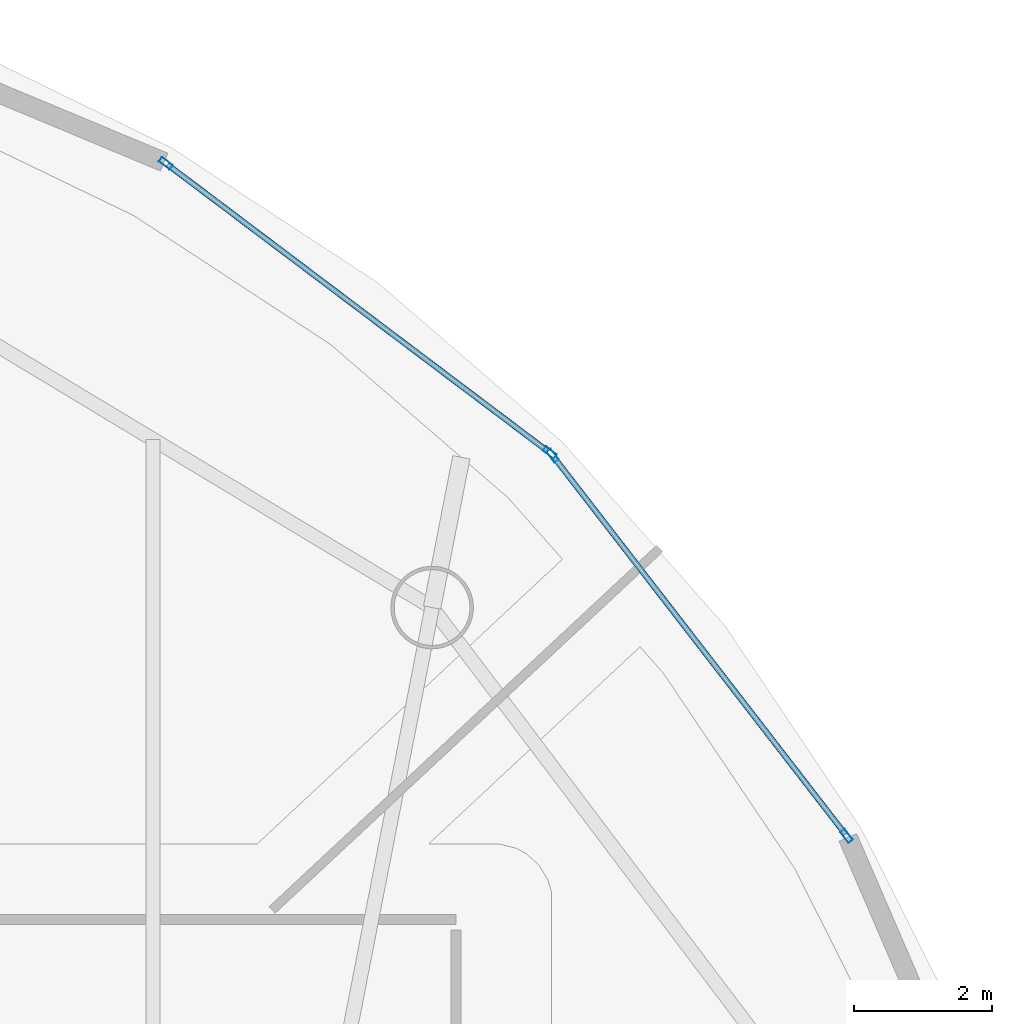
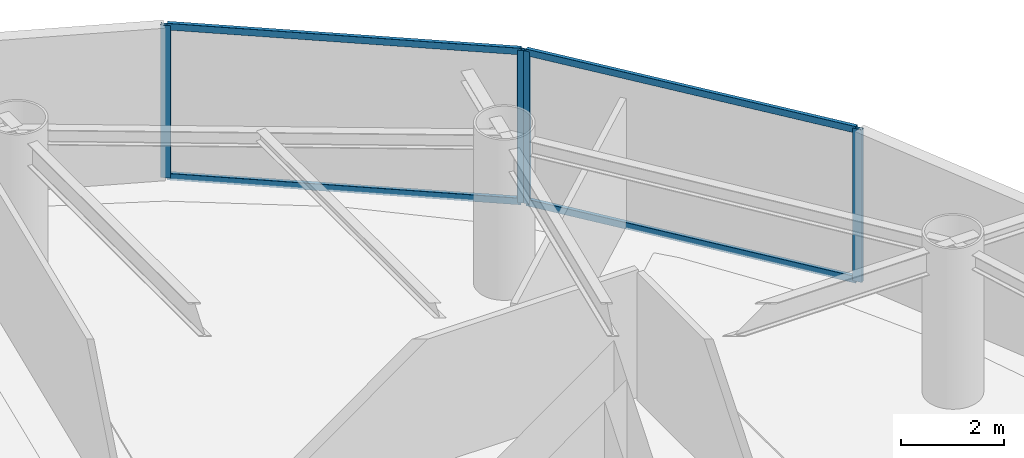
# One storey, part 10 of 16: 8 members, 2 elements without a shape of their own.
"""IFC4 building model written with IfcOpenShell, lengths in metres."""

from ifc_helpers import new_model, si_unit, direction, frame, origin, origin_2d, place, context, subcontext, project, spatial, hollow_rectangle, extrude, material, layer, layer_set, material_profile, profile_set, type_object, element, aggregate, save


model = new_model("IFC4")

# Units and contexts
model_context = context("Model", 3, precision=1e-05, world=origin(), true_north=direction((0.0, 1.0)))
body_context = subcontext(model_context, "Body", "Model", "MODEL_VIEW")
ifc_project = project(units=[si_unit("LENGTHUNIT", "METRE"), si_unit("AREAUNIT", "SQUARE_METRE"), si_unit("VOLUMEUNIT", "CUBIC_METRE"), si_unit("PLANEANGLEUNIT", "RADIAN"), si_unit("MASSUNIT", "GRAM", prefix="KILO")], contexts=[model_context])

# Site, building, storey
site_placement = place(None, origin())
site = spatial("IfcSite", under=ifc_project, at=site_placement, CompositionType="ELEMENT")
building_placement = place(site_placement, origin())
building = spatial("IfcBuilding", under=site, at=building_placement, Name="Bramvorn Convention Spire", CompositionType="ELEMENT")
storey_placement = place(building_placement, frame((0.0, 0.0, 209.699951171875)))
storey = spatial("IfcBuildingStorey", under=building, at=storey_placement, Name="L53", CompositionType="ELEMENT", Elevation=209.699951171875)

# Curtain wall, members
ifc_material_1 = material(Name="Anodised Bronze Unitised Curtain Wall", Category="aluminium")
ifc_layer = layer(ifc_material_1, 0.179931640625)
ifc_layer_set = layer_set([ifc_layer], Name="Anodised Bronze Unitised Curtain Wall - CW-OFF-FRIT")
curtain_wall_type = type_object("IfcCurtainWallType", Name="CW-OFF-FRIT", PredefinedType="USERDEFINED", material=ifc_layer_set)
curtain_wall_1_placement = place(storey_placement, origin())
curtain_wall_1 = element("IfcCurtainWall", 1, at=curtain_wall_1_placement, inside=storey, type_object=curtain_wall_type, Name="L53 fritted glass curtain wall 06", ObjectType="UNITISED CURTAIN WALL", PredefinedType="USERDEFINED")
ifc_material_2 = material(Name="Anodised Bronze Aluminium 6063-T6", Category="aluminium")
ifc_material_profile_1 = material_profile(ifc_material_2, hollow_rectangle(XDim=0.080078125, YDim=0.199951171875, WallThickness=0.00390625, InnerFilletRadius=0.0009765625, OuterFilletRadius=0.00390625, at=origin_2d()))
ifc_profile_set_1 = profile_set([ifc_material_profile_1], Name="Anodised Bronze Aluminium 6063-T6 - CWM80X200")
member_type_1 = type_object("IfcMemberType", Name="CW-MUL-180", PredefinedType="MULLION", material=ifc_profile_set_1)
member_1_placement = place(storey_placement, frame((52.25341796875, 42.093994140625, 0.0), z_axis=(0.0, 0.0, 1.0), x_axis=(0.791181360042, 0.611581601687, 0.0)))
member_1 = element("IfcMember", 2, at=member_1_placement, type_object=member_type_1, Name="CW3 mullion 1", PredefinedType="MULLION", context=body_context, shape_type="SweptSolid", body=[
    extrude(hollow_rectangle(XDim=0.080078125, YDim=0.199951171875, WallThickness=0.00390625, InnerFilletRadius=0.0009765625, OuterFilletRadius=0.00390625, at=origin_2d()), origin(), (0.0, 0.0, 1.0), 3.6201171875),
])
member_2_placement = place(storey_placement, frame((56.525634765625, 36.567138671875, 0.0), z_axis=(0.0, 0.0, 1.0), x_axis=(0.791181360042, 0.611581601687, 0.0)))
member_2 = element("IfcMember", 3, at=member_2_placement, type_object=member_type_1, Name="CW3 mullion 2", PredefinedType="MULLION", context=body_context, shape_type="SweptSolid", body=[
    extrude(hollow_rectangle(XDim=0.080078125, YDim=0.199951171875, WallThickness=0.00390625, InnerFilletRadius=0.0009765625, OuterFilletRadius=0.00390625, at=origin_2d()), origin(), (0.0, 0.0, 1.0), 3.6201171875),
])

curtain_wall_2_placement = place(storey_placement, origin())
curtain_wall_2 = element("IfcCurtainWall", 4, at=curtain_wall_2_placement, inside=storey, type_object=curtain_wall_type, Name="L53 fritted glass curtain wall 07", ObjectType="UNITISED CURTAIN WALL", PredefinedType="USERDEFINED")
member_3_placement = place(storey_placement, frame((46.632568359375, 46.340087890625, 0.0), z_axis=(0.0, 0.0, 1.0), x_axis=(0.601871885792, 0.798592657801, 0.0)))
member_3 = element("IfcMember", 5, at=member_3_placement, type_object=member_type_1, Name="CW3 mullion 1", PredefinedType="MULLION", context=body_context, shape_type="SweptSolid", body=[
    extrude(hollow_rectangle(XDim=0.080078125, YDim=0.199951171875, WallThickness=0.00390625, InnerFilletRadius=0.0009765625, OuterFilletRadius=0.00390625, at=origin_2d()), origin(), (0.0, 0.0, 1.0), 3.6201171875),
])
member_4_placement = place(storey_placement, frame((52.211181640625, 42.1357421875, 0.0), z_axis=(0.0, 0.0, 1.0), x_axis=(0.601871885792, 0.798592657801, 0.0)))
member_4 = element("IfcMember", 6, at=member_4_placement, type_object=member_type_1, Name="CW3 mullion 2", PredefinedType="MULLION", context=body_context, shape_type="SweptSolid", body=[
    extrude(hollow_rectangle(XDim=0.080078125, YDim=0.199951171875, WallThickness=0.00390625, InnerFilletRadius=0.0009765625, OuterFilletRadius=0.00390625, at=origin_2d()), origin(), (0.0, 0.0, 1.0), 3.6201171875),
])

# Member
ifc_material_profile_2 = material_profile(ifc_material_2, hollow_rectangle(XDim=0.080078125, YDim=0.159912109375, WallThickness=0.00390625, InnerFilletRadius=0.0009765625, OuterFilletRadius=0.00390625, at=origin_2d()))
ifc_profile_set_2 = profile_set([ifc_material_profile_2], Name="Anodised Bronze Aluminium 6063-T6 - CWT80X160")
member_type_2 = type_object("IfcMemberType", Name="CW-TRN-150", PredefinedType="USERDEFINED", material=ifc_profile_set_2)
member_5_placement = place(storey_placement, frame((52.271728515625, 42.0703125, 0.030029296875), z_axis=(0.611577918684, -0.791184206982, 0.0), x_axis=(0.791184206982, 0.611577918684, 0.0)))
member_5 = element("IfcMember", 7, at=member_5_placement, type_object=member_type_2, Name="CW3 transom 1.1", ObjectType="TRANSOM", PredefinedType="USERDEFINED", context=body_context, shape_type="SweptSolid", body=[
    extrude(hollow_rectangle(XDim=0.080078125, YDim=0.159912109375, WallThickness=0.00390625, InnerFilletRadius=0.0009765625, OuterFilletRadius=0.00390625, at=origin_2d()), origin(), (0.0, 0.0, 1.0), 6.92578125),
])

member_6_placement = place(storey_placement, frame((52.271728515625, 42.0703125, 3.590087890625), z_axis=(0.611577918684, -0.791184206982, 0.0), x_axis=(0.791184206982, 0.611577918684, 0.0)))
member_6 = element("IfcMember", 8, at=member_6_placement, type_object=member_type_2, Name="CW3 transom 1.2", ObjectType="TRANSOM", PredefinedType="USERDEFINED", context=body_context, shape_type="SweptSolid", body=[
    extrude(hollow_rectangle(XDim=0.080078125, YDim=0.159912109375, WallThickness=0.00390625, InnerFilletRadius=0.0009765625, OuterFilletRadius=0.00390625, at=origin_2d()), origin(), (0.0, 0.0, 1.0), 6.92578125),
])

aggregate(curtain_wall_1, [member_1, member_2, member_5, member_6])

member_7_placement = place(storey_placement, frame((46.656494140625, 46.322021484375, 0.030029296875), z_axis=(0.798601850176, -0.601859688711, 0.0), x_axis=(0.601859688711, 0.798601850176, 0.0)))
member_7 = element("IfcMember", 9, at=member_7_placement, type_object=member_type_2, Name="CW3 transom 1.1", ObjectType="TRANSOM", PredefinedType="USERDEFINED", context=body_context, shape_type="SweptSolid", body=[
    extrude(hollow_rectangle(XDim=0.080078125, YDim=0.159912109375, WallThickness=0.00390625, InnerFilletRadius=0.0009765625, OuterFilletRadius=0.00390625, at=origin_2d()), origin(), (0.0, 0.0, 1.0), 6.925537109375),
])

member_8_placement = place(storey_placement, frame((46.656494140625, 46.322021484375, 3.590087890625), z_axis=(0.798601850176, -0.601859688711, 0.0), x_axis=(0.601859688711, 0.798601850176, 0.0)))
member_8 = element("IfcMember", 10, at=member_8_placement, type_object=member_type_2, Name="CW3 transom 1.2", ObjectType="TRANSOM", PredefinedType="USERDEFINED", context=body_context, shape_type="SweptSolid", body=[
    extrude(hollow_rectangle(XDim=0.080078125, YDim=0.159912109375, WallThickness=0.00390625, InnerFilletRadius=0.0009765625, OuterFilletRadius=0.00390625, at=origin_2d()), origin(), (0.0, 0.0, 1.0), 6.925537109375),
])

aggregate(curtain_wall_2, [member_3, member_4, member_7, member_8])

save(model, "model.ifc")
